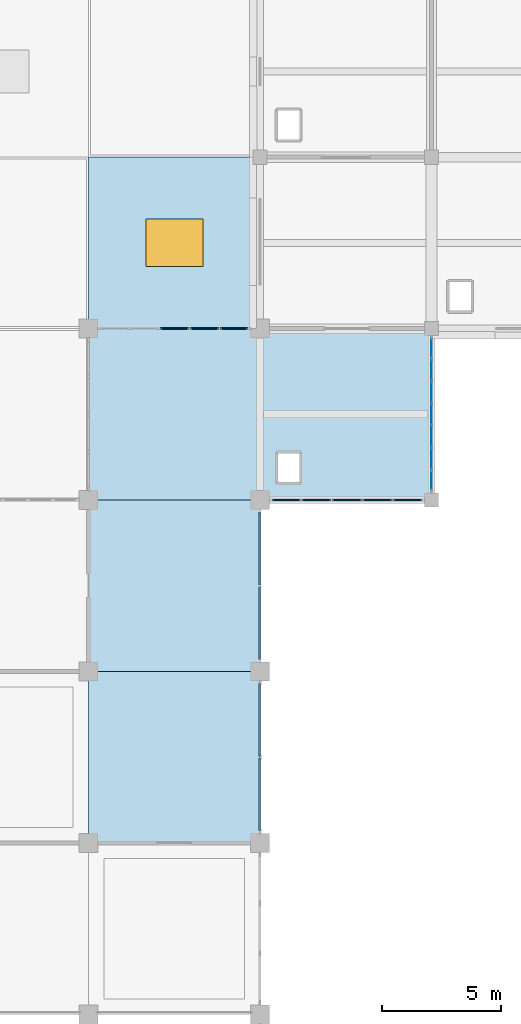
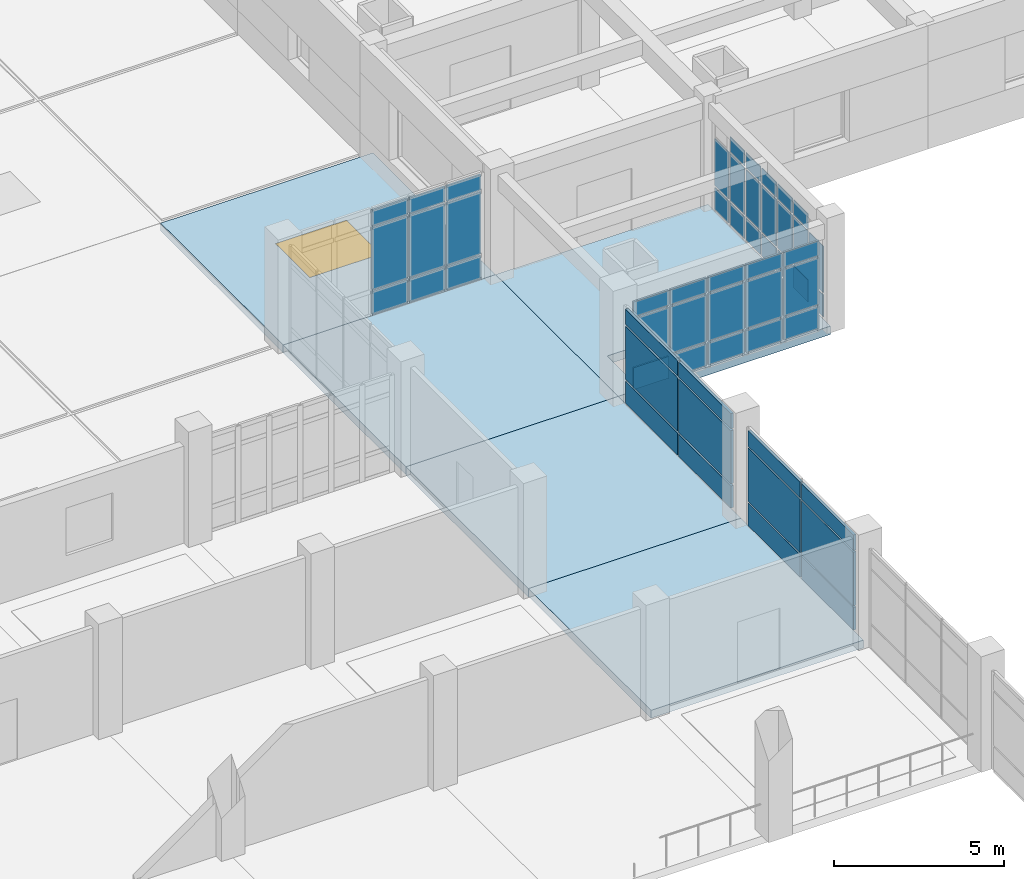
# One storey, part 37 of 62: 55 plates, 5 slabs, 1 window, 1 opening, 5 elements without a shape of their own.
"""IFC4 building model written with IfcOpenShell, lengths in metres."""

from ifc_helpers import new_model, si_unit, direction, frame, origin, origin_2d, place, context, subcontext, project, spatial, polyline, rectangle, outline, extrude, material, layer, layer_set, type_object, element, fill, aggregate, save


model = new_model("IFC4")

# Units and contexts
model_context = context("Model", 3, precision=1e-05, world=origin(), true_north=direction((0.0, 1.0)))
body_context = subcontext(model_context, "Body", "Model", "MODEL_VIEW")
ifc_project = project(units=[si_unit("LENGTHUNIT", "METRE"), si_unit("AREAUNIT", "SQUARE_METRE"), si_unit("VOLUMEUNIT", "CUBIC_METRE"), si_unit("PLANEANGLEUNIT", "RADIAN"), si_unit("MASSUNIT", "GRAM", prefix="KILO")], contexts=[model_context])

# Site, building, storey
site_placement = place(None, origin())
site = spatial("IfcSite", under=ifc_project, at=site_placement, CompositionType="ELEMENT")
building_placement = place(site_placement, origin())
building = spatial("IfcBuilding", under=site, at=building_placement, Name="Kavelor Marine Aquarium", CompositionType="ELEMENT")
storey_placement = place(building_placement, frame((0.0, 0.0, 13.5)))
storey = spatial("IfcBuildingStorey", under=building, at=storey_placement, Name="L03", CompositionType="ELEMENT", Elevation=13.5)

# Curtain wall, plates
ifc_material_1 = material(Name="Thermally Broken Aluminium and Low-E Glass", Category="aluminium")
ifc_layer_1 = layer(ifc_material_1, 0.14794921875)
ifc_layer_set_1 = layer_set([ifc_layer_1], Name="CW-SYS1")
curtain_wall_type_1 = type_object("IfcCurtainWallType", Name="CW-SYS1", PredefinedType="USERDEFINED", material=ifc_layer_set_1)
curtain_wall_1_placement = place(storey_placement, origin())
curtain_wall_1 = element("IfcCurtainWall", 1, at=curtain_wall_1_placement, inside=storey, type_object=curtain_wall_type_1, Name="cw:y:L03:06_11", ObjectType="Curtain Wall", PredefinedType="USERDEFINED")
ifc_material_2 = material(Name="Solar-Control Double Low-E Glazing", Category="glass")
ifc_layer_2 = layer(ifc_material_2, 0.02587890625)
ifc_layer_set_2 = layer_set([ifc_layer_2], Name="CWP-01")
plate_type_1 = type_object("IfcPlateType", Name="CWP-01", PredefinedType="CURTAIN_PANEL", material=ifc_layer_set_2)
plate_1_placement = place(storey_placement, frame((46.39990234375, 82.828857421875, 0.074951171875), z_axis=(0.0, 0.0, 1.0), x_axis=(0.0, 1.0, 0.0)))
plate_1 = element("IfcPlate", 2, at=plate_1_placement, type_object=plate_type_1, Name="CW01 panel 1.1", PredefinedType="CURTAIN_PANEL", context=body_context, shape_type="SweptSolid", body=[
    extrude(rectangle(XDim=0.8173828125, YDim=0.02587890625, at=origin_2d()), origin(), (0.0, 0.0, 1.0), 0.78759765625),
])
plate_2_placement = place(storey_placement, frame((46.39990234375, 82.828857421875, 0.9375), z_axis=(0.0, 0.0, 1.0), x_axis=(0.0, 1.0, 0.0)))
plate_2 = element("IfcPlate", 3, at=plate_2_placement, type_object=plate_type_1, Name="CW01 panel 1.2", PredefinedType="CURTAIN_PANEL", context=body_context, shape_type="SweptSolid", body=[
    extrude(rectangle(XDim=0.8173828125, YDim=0.02587890625, at=origin_2d()), origin(), (0.0, 0.0, 1.0), 1.675048828125),
])
plate_3_placement = place(storey_placement, frame((46.39990234375, 83.739990234375, 0.074951171875), z_axis=(0.0, 0.0, 1.0), x_axis=(0.0, 1.0, 0.0)))
plate_3 = element("IfcPlate", 4, at=plate_3_placement, type_object=plate_type_1, Name="CW01 panel 2.1", PredefinedType="CURTAIN_PANEL", context=body_context, shape_type="SweptSolid", body=[
    extrude(rectangle(XDim=0.85498046875, YDim=0.02587890625, at=origin_2d()), origin(), (0.0, 0.0, 1.0), 0.78759765625),
])
plate_4_placement = place(storey_placement, frame((46.39990234375, 83.739990234375, 0.9375), z_axis=(0.0, 0.0, 1.0), x_axis=(0.0, 1.0, 0.0)))
plate_4 = element("IfcPlate", 5, at=plate_4_placement, type_object=plate_type_1, Name="CW01 panel 2.2", PredefinedType="CURTAIN_PANEL", context=body_context, shape_type="SweptSolid", body=[
    extrude(rectangle(XDim=0.85498046875, YDim=0.02587890625, at=origin_2d()), origin(), (0.0, 0.0, 1.0), 1.675048828125),
])
plate_5_placement = place(storey_placement, frame((46.39990234375, 83.739990234375, 2.6875), z_axis=(0.0, 0.0, 1.0), x_axis=(0.0, 1.0, 0.0)))
plate_5 = element("IfcPlate", 6, at=plate_5_placement, type_object=plate_type_1, Name="CW01 panel 2.3", PredefinedType="CURTAIN_PANEL", context=body_context, shape_type="SweptSolid", body=[
    extrude(rectangle(XDim=0.85498046875, YDim=0.02587890625, at=origin_2d()), origin(), (0.0, 0.0, 1.0), 0.53759765625),
])
plate_6_placement = place(storey_placement, frame((46.39990234375, 84.669921875, 0.074951171875), z_axis=(0.0, 0.0, 1.0), x_axis=(0.0, 1.0, 0.0)))
plate_6 = element("IfcPlate", 7, at=plate_6_placement, type_object=plate_type_1, Name="CW01 panel 3.1", PredefinedType="CURTAIN_PANEL", context=body_context, shape_type="SweptSolid", body=[
    extrude(rectangle(XDim=0.85498046875, YDim=0.02587890625, at=origin_2d()), origin(), (0.0, 0.0, 1.0), 0.78759765625),
])
plate_7_placement = place(storey_placement, frame((46.39990234375, 84.669921875, 0.9375), z_axis=(0.0, 0.0, 1.0), x_axis=(0.0, 1.0, 0.0)))
plate_7 = element("IfcPlate", 8, at=plate_7_placement, type_object=plate_type_1, Name="CW01 panel 3.2", PredefinedType="CURTAIN_PANEL", context=body_context, shape_type="SweptSolid", body=[
    extrude(rectangle(XDim=0.85498046875, YDim=0.02587890625, at=origin_2d()), origin(), (0.0, 0.0, 1.0), 1.675048828125),
])
plate_8_placement = place(storey_placement, frame((46.39990234375, 84.669921875, 2.6875), z_axis=(0.0, 0.0, 1.0), x_axis=(0.0, 1.0, 0.0)))
plate_8 = element("IfcPlate", 9, at=plate_8_placement, type_object=plate_type_1, Name="CW01 panel 3.3", PredefinedType="CURTAIN_PANEL", context=body_context, shape_type="SweptSolid", body=[
    extrude(rectangle(XDim=0.85498046875, YDim=0.02587890625, at=origin_2d()), origin(), (0.0, 0.0, 1.0), 0.53759765625),
])
plate_9_placement = place(storey_placement, frame((46.39990234375, 85.60009765625, 0.074951171875), z_axis=(0.0, 0.0, 1.0), x_axis=(0.0, 1.0, 0.0)))
plate_9 = element("IfcPlate", 10, at=plate_9_placement, type_object=plate_type_1, Name="CW01 panel 4.1", PredefinedType="CURTAIN_PANEL", context=body_context, shape_type="SweptSolid", body=[
    extrude(rectangle(XDim=0.85498046875, YDim=0.02587890625, at=origin_2d()), origin(), (0.0, 0.0, 1.0), 0.78759765625),
])
plate_10_placement = place(storey_placement, frame((46.39990234375, 85.60009765625, 0.9375), z_axis=(0.0, 0.0, 1.0), x_axis=(0.0, 1.0, 0.0)))
plate_10 = element("IfcPlate", 11, at=plate_10_placement, type_object=plate_type_1, Name="CW01 panel 4.2", PredefinedType="CURTAIN_PANEL", context=body_context, shape_type="SweptSolid", body=[
    extrude(rectangle(XDim=0.85498046875, YDim=0.02587890625, at=origin_2d()), origin(), (0.0, 0.0, 1.0), 1.675048828125),
])
plate_11_placement = place(storey_placement, frame((46.39990234375, 85.60009765625, 2.6875), z_axis=(0.0, 0.0, 1.0), x_axis=(0.0, 1.0, 0.0)))
plate_11 = element("IfcPlate", 12, at=plate_11_placement, type_object=plate_type_1, Name="CW01 panel 4.3", PredefinedType="CURTAIN_PANEL", context=body_context, shape_type="SweptSolid", body=[
    extrude(rectangle(XDim=0.85498046875, YDim=0.02587890625, at=origin_2d()), origin(), (0.0, 0.0, 1.0), 0.53759765625),
])
plate_12_placement = place(storey_placement, frame((46.39990234375, 86.530029296875, 0.074951171875), z_axis=(0.0, 0.0, 1.0), x_axis=(0.0, 1.0, 0.0)))
plate_12 = element("IfcPlate", 13, at=plate_12_placement, type_object=plate_type_1, Name="CW01 panel 5.1", PredefinedType="CURTAIN_PANEL", context=body_context, shape_type="SweptSolid", body=[
    extrude(rectangle(XDim=0.85498046875, YDim=0.02587890625, at=origin_2d()), origin(), (0.0, 0.0, 1.0), 0.78759765625),
])
plate_13_placement = place(storey_placement, frame((46.39990234375, 86.530029296875, 0.9375), z_axis=(0.0, 0.0, 1.0), x_axis=(0.0, 1.0, 0.0)))
plate_13 = element("IfcPlate", 14, at=plate_13_placement, type_object=plate_type_1, Name="CW01 panel 5.2", PredefinedType="CURTAIN_PANEL", context=body_context, shape_type="SweptSolid", body=[
    extrude(rectangle(XDim=0.85498046875, YDim=0.02587890625, at=origin_2d()), origin(), (0.0, 0.0, 1.0), 1.675048828125),
])
plate_14_placement = place(storey_placement, frame((46.39990234375, 86.530029296875, 2.6875), z_axis=(0.0, 0.0, 1.0), x_axis=(0.0, 1.0, 0.0)))
plate_14 = element("IfcPlate", 15, at=plate_14_placement, type_object=plate_type_1, Name="CW01 panel 5.3", PredefinedType="CURTAIN_PANEL", context=body_context, shape_type="SweptSolid", body=[
    extrude(rectangle(XDim=0.85498046875, YDim=0.02587890625, at=origin_2d()), origin(), (0.0, 0.0, 1.0), 0.53759765625),
])
plate_15_placement = place(storey_placement, frame((46.39990234375, 87.4599609375, 0.074951171875), z_axis=(0.0, 0.0, 1.0), x_axis=(0.0, 1.0, 0.0)))
plate_15 = element("IfcPlate", 16, at=plate_15_placement, type_object=plate_type_1, Name="CW01 panel 6.1", PredefinedType="CURTAIN_PANEL", context=body_context, shape_type="SweptSolid", body=[
    extrude(rectangle(XDim=0.85498046875, YDim=0.02587890625, at=origin_2d()), origin(), (0.0, 0.0, 1.0), 0.78759765625),
])
plate_16_placement = place(storey_placement, frame((46.39990234375, 87.4599609375, 0.9375), z_axis=(0.0, 0.0, 1.0), x_axis=(0.0, 1.0, 0.0)))
plate_16 = element("IfcPlate", 17, at=plate_16_placement, type_object=plate_type_1, Name="CW01 panel 6.2", PredefinedType="CURTAIN_PANEL", context=body_context, shape_type="SweptSolid", body=[
    extrude(rectangle(XDim=0.85498046875, YDim=0.02587890625, at=origin_2d()), origin(), (0.0, 0.0, 1.0), 1.675048828125),
])
plate_17_placement = place(storey_placement, frame((46.39990234375, 87.4599609375, 2.6875), z_axis=(0.0, 0.0, 1.0), x_axis=(0.0, 1.0, 0.0)))
plate_17 = element("IfcPlate", 18, at=plate_17_placement, type_object=plate_type_1, Name="CW01 panel 6.3", PredefinedType="CURTAIN_PANEL", context=body_context, shape_type="SweptSolid", body=[
    extrude(rectangle(XDim=0.85498046875, YDim=0.02587890625, at=origin_2d()), origin(), (0.0, 0.0, 1.0), 0.53759765625),
])
plate_18_placement = place(storey_placement, frame((46.39990234375, 88.371337890625, 0.074951171875), z_axis=(0.0, 0.0, 1.0), x_axis=(0.0, 1.0, 0.0)))
plate_18 = element("IfcPlate", 19, at=plate_18_placement, type_object=plate_type_1, Name="CW01 panel 7.1", PredefinedType="CURTAIN_PANEL", context=body_context, shape_type="SweptSolid", body=[
    extrude(rectangle(XDim=0.8173828125, YDim=0.02587890625, at=origin_2d()), origin(), (0.0, 0.0, 1.0), 0.78759765625),
])
plate_19_placement = place(storey_placement, frame((46.39990234375, 88.371337890625, 0.9375), z_axis=(0.0, 0.0, 1.0), x_axis=(0.0, 1.0, 0.0)))
plate_19 = element("IfcPlate", 20, at=plate_19_placement, type_object=plate_type_1, Name="CW01 panel 7.2", PredefinedType="CURTAIN_PANEL", context=body_context, shape_type="SweptSolid", body=[
    extrude(rectangle(XDim=0.8173828125, YDim=0.02587890625, at=origin_2d()), origin(), (0.0, 0.0, 1.0), 1.675048828125),
])
aggregate(curtain_wall_1, [plate_1, plate_2, plate_3, plate_4, plate_5, plate_6, plate_7, plate_8, plate_9, plate_10, plate_11, plate_12, plate_13, plate_14, plate_15, plate_16, plate_17, plate_18, plate_19])

ifc_material_3 = material(Name="Thermally Broken Aluminium and Low-E Glass", Category="aluminium")
ifc_layer_3 = layer(ifc_material_3, 0.179931640625)
ifc_layer_set_3 = layer_set([ifc_layer_3], Name="CW-SYS5")
curtain_wall_type_2 = type_object("IfcCurtainWallType", Name="CW-SYS5", PredefinedType="USERDEFINED", material=ifc_layer_set_3)
curtain_wall_2_placement = place(storey_placement, origin())
curtain_wall_2 = element("IfcCurtainWall", 21, at=curtain_wall_2_placement, inside=storey, type_object=curtain_wall_type_2, Name="cw:x:L03:04_12", ObjectType="Curtain Wall", PredefinedType="USERDEFINED")
ifc_material_4 = material(Name="Solar-Control Double Low-E Glazing", Category="glass")
ifc_layer_4 = layer(ifc_material_4, 0.05810546875)
ifc_layer_set_4 = layer_set([ifc_layer_4], Name="CWP-17")
plate_type_2 = type_object("IfcPlateType", Name="CWP-17", PredefinedType="CURTAIN_PANEL", material=ifc_layer_set_4)
plate_20_placement = place(storey_placement, frame((35.60009765625, 89.199951171875, 0.06005859375), z_axis=(0.0, 0.0, 1.0), x_axis=(1.0, 0.0, 0.0)))
plate_20 = element("IfcPlate", 22, at=plate_20_placement, type_object=plate_type_2, Name="CW05 panel 3.1", PredefinedType="CURTAIN_PANEL", context=body_context, shape_type="SweptSolid", body=[
    extrude(rectangle(XDim=1.197021484375, YDim=0.05810546875, at=origin_2d()), origin(), (0.0, 0.0, 1.0), 0.81005859375),
])
plate_21_placement = place(storey_placement, frame((35.60009765625, 89.199951171875, 0.929931640625), z_axis=(0.0, 0.0, 1.0), x_axis=(1.0, 0.0, 0.0)))
plate_21 = element("IfcPlate", 23, at=plate_21_placement, type_object=plate_type_2, Name="CW05 panel 3.2", PredefinedType="CURTAIN_PANEL", context=body_context, shape_type="SweptSolid", body=[
    extrude(rectangle(XDim=1.197021484375, YDim=0.05810546875, at=origin_2d()), origin(), (0.0, 0.0, 1.0), 2.22998046875),
])
plate_22_placement = place(storey_placement, frame((35.60009765625, 89.199951171875, 3.219970703125), z_axis=(0.0, 0.0, 1.0), x_axis=(1.0, 0.0, 0.0)))
plate_22 = element("IfcPlate", 24, at=plate_22_placement, type_object=plate_type_2, Name="CW05 panel 3.3", PredefinedType="CURTAIN_PANEL", context=body_context, shape_type="SweptSolid", body=[
    extrude(rectangle(XDim=1.197021484375, YDim=0.05810546875, at=origin_2d()), origin(), (0.0, 0.0, 1.0), 0.56005859375),
])
plate_23_placement = place(storey_placement, frame((36.862060546875, 89.199951171875, 0.06005859375), z_axis=(0.0, 0.0, 1.0), x_axis=(1.0, 0.0, 0.0)))
plate_23 = element("IfcPlate", 25, at=plate_23_placement, type_object=plate_type_2, Name="CW05 panel 4.1", PredefinedType="CURTAIN_PANEL", context=body_context, shape_type="SweptSolid", body=[
    extrude(rectangle(XDim=1.197021484375, YDim=0.05810546875, at=origin_2d()), origin(), (0.0, 0.0, 1.0), 0.81005859375),
])
plate_24_placement = place(storey_placement, frame((36.862060546875, 89.199951171875, 0.929931640625), z_axis=(0.0, 0.0, 1.0), x_axis=(1.0, 0.0, 0.0)))
plate_24 = element("IfcPlate", 26, at=plate_24_placement, type_object=plate_type_2, Name="CW05 panel 4.2", PredefinedType="CURTAIN_PANEL", context=body_context, shape_type="SweptSolid", body=[
    extrude(rectangle(XDim=1.197021484375, YDim=0.05810546875, at=origin_2d()), origin(), (0.0, 0.0, 1.0), 2.22998046875),
])
plate_25_placement = place(storey_placement, frame((36.862060546875, 89.199951171875, 3.219970703125), z_axis=(0.0, 0.0, 1.0), x_axis=(1.0, 0.0, 0.0)))
plate_25 = element("IfcPlate", 27, at=plate_25_placement, type_object=plate_type_2, Name="CW05 panel 4.3", PredefinedType="CURTAIN_PANEL", context=body_context, shape_type="SweptSolid", body=[
    extrude(rectangle(XDim=1.197021484375, YDim=0.05810546875, at=origin_2d()), origin(), (0.0, 0.0, 1.0), 0.56005859375),
])
plate_26_placement = place(storey_placement, frame((38.107666015625, 89.199951171875, 0.06005859375), z_axis=(0.0, 0.0, 1.0), x_axis=(1.0, 0.0, 0.0)))
plate_26 = element("IfcPlate", 28, at=plate_26_placement, type_object=plate_type_2, Name="CW05 panel 5.1", PredefinedType="CURTAIN_PANEL", context=body_context, shape_type="SweptSolid", body=[
    extrude(rectangle(XDim=1.16455078125, YDim=0.05810546875, at=origin_2d()), origin(), (0.0, 0.0, 1.0), 0.81005859375),
])
plate_27_placement = place(storey_placement, frame((38.107666015625, 89.199951171875, 0.929931640625), z_axis=(0.0, 0.0, 1.0), x_axis=(1.0, 0.0, 0.0)))
plate_27 = element("IfcPlate", 29, at=plate_27_placement, type_object=plate_type_2, Name="CW05 panel 5.2", PredefinedType="CURTAIN_PANEL", context=body_context, shape_type="SweptSolid", body=[
    extrude(rectangle(XDim=1.16455078125, YDim=0.05810546875, at=origin_2d()), origin(), (0.0, 0.0, 1.0), 2.22998046875),
])
plate_28_placement = place(storey_placement, frame((38.107666015625, 89.199951171875, 3.219970703125), z_axis=(0.0, 0.0, 1.0), x_axis=(1.0, 0.0, 0.0)))
plate_28 = element("IfcPlate", 30, at=plate_28_placement, type_object=plate_type_2, Name="CW05 panel 5.3", PredefinedType="CURTAIN_PANEL", context=body_context, shape_type="SweptSolid", body=[
    extrude(rectangle(XDim=1.16455078125, YDim=0.05810546875, at=origin_2d()), origin(), (0.0, 0.0, 1.0), 0.56005859375),
])
aggregate(curtain_wall_2, [plate_20, plate_21, plate_22, plate_23, plate_24, plate_25, plate_26, plate_27, plate_28])

ifc_material_5 = material(Name="Thermally Broken Aluminium and Low-E Glass", Category="aluminium")
ifc_layer_5 = layer(ifc_material_5, 0.18798828125)
ifc_layer_set_5 = layer_set([ifc_layer_5], Name="CW-SYS6")
curtain_wall_type_3 = type_object("IfcCurtainWallType", Name="CW-SYS6", PredefinedType="USERDEFINED", material=ifc_layer_set_5)
curtain_wall_3_placement = place(storey_placement, origin())
curtain_wall_3 = element("IfcCurtainWall", 31, at=curtain_wall_3_placement, inside=storey, type_object=curtain_wall_type_3, Name="cw:x:L03:05_11", ObjectType="Curtain Wall", PredefinedType="USERDEFINED")
ifc_material_6 = material(Name="Solar-Control Double Low-E Glazing", Category="glass")
ifc_layer_6 = layer(ifc_material_6, 0.06005859375)
ifc_layer_set_6 = layer_set([ifc_layer_6], Name="CWP-18")
plate_type_3 = type_object("IfcPlateType", Name="CWP-18", PredefinedType="CURTAIN_PANEL", material=ifc_layer_set_6)
plate_29_placement = place(storey_placement, frame((45.39892578125, 82.0, 0.074951171875), z_axis=(0.0, 0.0, 1.0), x_axis=(-1.0, 0.0, 0.0)))
plate_29 = element("IfcPlate", 32, at=plate_29_placement, type_object=plate_type_3, Name="CW06 panel 1.1", PredefinedType="CURTAIN_PANEL", context=body_context, shape_type="SweptSolid", body=[
    extrude(rectangle(XDim=1.19189453125, YDim=0.06005859375, at=origin_2d()), origin(), (0.0, 0.0, 1.0), 0.78759765625),
])
plate_30_placement = place(storey_placement, frame((45.39892578125, 82.0, 0.9375), z_axis=(0.0, 0.0, 1.0), x_axis=(-1.0, 0.0, 0.0)))
plate_30 = element("IfcPlate", 33, at=plate_30_placement, type_object=plate_type_3, Name="CW06 panel 1.2", PredefinedType="CURTAIN_PANEL", context=body_context, shape_type="SweptSolid", body=[
    extrude(rectangle(XDim=1.19189453125, YDim=0.06005859375, at=origin_2d()), origin(), (0.0, 0.0, 1.0), 1.675048828125),
])
plate_31_placement = place(storey_placement, frame((45.39892578125, 82.0, 2.6875), z_axis=(0.0, 0.0, 1.0), x_axis=(-1.0, 0.0, 0.0)))
plate_31 = element("IfcPlate", 34, at=plate_31_placement, type_object=plate_type_3, Name="CW06 panel 1.3", PredefinedType="CURTAIN_PANEL", context=body_context, shape_type="SweptSolid", body=[
    extrude(rectangle(XDim=1.19189453125, YDim=0.06005859375, at=origin_2d()), origin(), (0.0, 0.0, 1.0), 0.53759765625),
])
plate_32_placement = place(storey_placement, frame((44.132080078125, 82.0, 0.074951171875), z_axis=(0.0, 0.0, 1.0), x_axis=(-1.0, 0.0, 0.0)))
plate_32 = element("IfcPlate", 35, at=plate_32_placement, type_object=plate_type_3, Name="CW06 panel 2.1", PredefinedType="CURTAIN_PANEL", context=body_context, shape_type="SweptSolid", body=[
    extrude(rectangle(XDim=1.221923828125, YDim=0.06005859375, at=origin_2d()), origin(), (0.0, 0.0, 1.0), 0.78759765625),
])
plate_33_placement = place(storey_placement, frame((44.132080078125, 82.0, 0.9375), z_axis=(0.0, 0.0, 1.0), x_axis=(-1.0, 0.0, 0.0)))
plate_33 = element("IfcPlate", 36, at=plate_33_placement, type_object=plate_type_3, Name="CW06 panel 2.2", PredefinedType="CURTAIN_PANEL", context=body_context, shape_type="SweptSolid", body=[
    extrude(rectangle(XDim=1.221923828125, YDim=0.06005859375, at=origin_2d()), origin(), (0.0, 0.0, 1.0), 1.675048828125),
])
plate_34_placement = place(storey_placement, frame((44.132080078125, 82.0, 2.6875), z_axis=(0.0, 0.0, 1.0), x_axis=(-1.0, 0.0, 0.0)))
plate_34 = element("IfcPlate", 37, at=plate_34_placement, type_object=plate_type_3, Name="CW06 panel 2.3", PredefinedType="CURTAIN_PANEL", context=body_context, shape_type="SweptSolid", body=[
    extrude(rectangle(XDim=1.221923828125, YDim=0.06005859375, at=origin_2d()), origin(), (0.0, 0.0, 1.0), 0.53759765625),
])
plate_35_placement = place(storey_placement, frame((42.85009765625, 82.0, 0.074951171875), z_axis=(0.0, 0.0, 1.0), x_axis=(-1.0, 0.0, 0.0)))
plate_35 = element("IfcPlate", 38, at=plate_35_placement, type_object=plate_type_3, Name="CW06 panel 3.1", PredefinedType="CURTAIN_PANEL", context=body_context, shape_type="SweptSolid", body=[
    extrude(rectangle(XDim=1.221923828125, YDim=0.06005859375, at=origin_2d()), origin(), (0.0, 0.0, 1.0), 0.78759765625),
])
plate_36_placement = place(storey_placement, frame((42.85009765625, 82.0, 0.9375), z_axis=(0.0, 0.0, 1.0), x_axis=(-1.0, 0.0, 0.0)))
plate_36 = element("IfcPlate", 39, at=plate_36_placement, type_object=plate_type_3, Name="CW06 panel 3.2", PredefinedType="CURTAIN_PANEL", context=body_context, shape_type="SweptSolid", body=[
    extrude(rectangle(XDim=1.221923828125, YDim=0.06005859375, at=origin_2d()), origin(), (0.0, 0.0, 1.0), 1.675048828125),
])
plate_37_placement = place(storey_placement, frame((42.85009765625, 82.0, 2.6875), z_axis=(0.0, 0.0, 1.0), x_axis=(-1.0, 0.0, 0.0)))
plate_37 = element("IfcPlate", 40, at=plate_37_placement, type_object=plate_type_3, Name="CW06 panel 3.3", PredefinedType="CURTAIN_PANEL", context=body_context, shape_type="SweptSolid", body=[
    extrude(rectangle(XDim=1.221923828125, YDim=0.06005859375, at=origin_2d()), origin(), (0.0, 0.0, 1.0), 0.53759765625),
])
plate_38_placement = place(storey_placement, frame((41.568115234375, 82.0, 0.074951171875), z_axis=(0.0, 0.0, 1.0), x_axis=(-1.0, 0.0, 0.0)))
plate_38 = element("IfcPlate", 41, at=plate_38_placement, type_object=plate_type_3, Name="CW06 panel 4.1", PredefinedType="CURTAIN_PANEL", context=body_context, shape_type="SweptSolid", body=[
    extrude(rectangle(XDim=1.221923828125, YDim=0.06005859375, at=origin_2d()), origin(), (0.0, 0.0, 1.0), 0.78759765625),
])
plate_39_placement = place(storey_placement, frame((41.568115234375, 82.0, 0.9375), z_axis=(0.0, 0.0, 1.0), x_axis=(-1.0, 0.0, 0.0)))
plate_39 = element("IfcPlate", 42, at=plate_39_placement, type_object=plate_type_3, Name="CW06 panel 4.2", PredefinedType="CURTAIN_PANEL", context=body_context, shape_type="SweptSolid", body=[
    extrude(rectangle(XDim=1.221923828125, YDim=0.06005859375, at=origin_2d()), origin(), (0.0, 0.0, 1.0), 1.675048828125),
])
plate_40_placement = place(storey_placement, frame((41.568115234375, 82.0, 2.6875), z_axis=(0.0, 0.0, 1.0), x_axis=(-1.0, 0.0, 0.0)))
plate_40 = element("IfcPlate", 43, at=plate_40_placement, type_object=plate_type_3, Name="CW06 panel 4.3", PredefinedType="CURTAIN_PANEL", context=body_context, shape_type="SweptSolid", body=[
    extrude(rectangle(XDim=1.221923828125, YDim=0.06005859375, at=origin_2d()), origin(), (0.0, 0.0, 1.0), 0.53759765625),
])
plate_41_placement = place(storey_placement, frame((40.301025390625, 82.0, 0.074951171875), z_axis=(0.0, 0.0, 1.0), x_axis=(-1.0, 0.0, 0.0)))
plate_41 = element("IfcPlate", 44, at=plate_41_placement, type_object=plate_type_3, Name="CW06 panel 5.1", PredefinedType="CURTAIN_PANEL", context=body_context, shape_type="SweptSolid", body=[
    extrude(rectangle(XDim=1.19189453125, YDim=0.06005859375, at=origin_2d()), origin(), (0.0, 0.0, 1.0), 0.78759765625),
])
plate_42_placement = place(storey_placement, frame((40.301025390625, 82.0, 0.9375), z_axis=(0.0, 0.0, 1.0), x_axis=(-1.0, 0.0, 0.0)))
plate_42 = element("IfcPlate", 45, at=plate_42_placement, type_object=plate_type_3, Name="CW06 panel 5.2", PredefinedType="CURTAIN_PANEL", context=body_context, shape_type="SweptSolid", body=[
    extrude(rectangle(XDim=1.19189453125, YDim=0.06005859375, at=origin_2d()), origin(), (0.0, 0.0, 1.0), 1.675048828125),
])
plate_43_placement = place(storey_placement, frame((40.301025390625, 82.0, 2.6875), z_axis=(0.0, 0.0, 1.0), x_axis=(-1.0, 0.0, 0.0)))
plate_43 = element("IfcPlate", 46, at=plate_43_placement, type_object=plate_type_3, Name="CW06 panel 5.3", PredefinedType="CURTAIN_PANEL", context=body_context, shape_type="SweptSolid", body=[
    extrude(rectangle(XDim=1.19189453125, YDim=0.06005859375, at=origin_2d()), origin(), (0.0, 0.0, 1.0), 0.53759765625),
])
aggregate(curtain_wall_3, [plate_29, plate_30, plate_31, plate_32, plate_33, plate_34, plate_35, plate_36, plate_37, plate_38, plate_39, plate_40, plate_41, plate_42, plate_43])

ifc_material_7 = material(Name="Thermally Broken Aluminium and Low-E Glass", Category="aluminium")
ifc_layer_7 = layer(ifc_material_7, 0.323974609375)
ifc_layer_set_7 = layer_set([ifc_layer_7], Name="CW-SYS23")
curtain_wall_type_4 = type_object("IfcCurtainWallType", Name="CW-SYS23", PredefinedType="USERDEFINED", material=ifc_layer_set_7)
curtain_wall_4_placement = place(storey_placement, origin())
curtain_wall_4 = element("IfcCurtainWall", 47, at=curtain_wall_4_placement, inside=storey, type_object=curtain_wall_type_4, Name="cw:y:L03:05_09", ObjectType="Curtain Wall", PredefinedType="USERDEFINED")
ifc_material_8 = material(Name="Laminated Cast Acrylic Viewing Glazing", Category="glass")
ifc_layer_8 = layer(ifc_material_8, 0.093994140625)
ifc_layer_set_8 = layer_set([ifc_layer_8], Name="CWP-35")
plate_type_4 = type_object("IfcPlateType", Name="CWP-35", PredefinedType="CURTAIN_PANEL", material=ifc_layer_set_8)
plate_44_placement = place(storey_placement, frame((39.199951171875, 69.638671875, 0.06005859375), z_axis=(0.0, 0.0, 1.0), x_axis=(0.0, 1.0, 0.0)))
plate_44 = element("IfcPlate", 48, at=plate_44_placement, type_object=plate_type_4, Name="CW23 panel 1.1", PredefinedType="CURTAIN_PANEL", context=body_context, shape_type="SweptSolid", body=[
    extrude(rectangle(XDim=3.0576171875, YDim=0.093994140625, at=origin_2d()), origin(), (0.0, 0.0, 1.0), 0.81005859375),
])
plate_45_placement = place(storey_placement, frame((39.199951171875, 69.638671875, 0.929931640625), z_axis=(0.0, 0.0, 1.0), x_axis=(0.0, 1.0, 0.0)))
plate_45 = element("IfcPlate", 49, at=plate_45_placement, type_object=plate_type_4, Name="CW23 panel 1.2", PredefinedType="CURTAIN_PANEL", context=body_context, shape_type="SweptSolid", body=[
    extrude(rectangle(XDim=3.0576171875, YDim=0.093994140625, at=origin_2d()), origin(), (0.0, 0.0, 1.0), 1.919921875),
])
plate_46_placement = place(storey_placement, frame((39.199951171875, 69.638671875, 2.909912109375), z_axis=(0.0, 0.0, 1.0), x_axis=(0.0, 1.0, 0.0)))
plate_46 = element("IfcPlate", 50, at=plate_46_placement, type_object=plate_type_4, Name="CW23 panel 1.3", PredefinedType="CURTAIN_PANEL", context=body_context, shape_type="SweptSolid", body=[
    extrude(rectangle(XDim=3.0576171875, YDim=0.093994140625, at=origin_2d()), origin(), (0.0, 0.0, 1.0), 0.56005859375),
])
plate_47_placement = place(storey_placement, frame((39.199951171875, 72.76123046875, 0.06005859375), z_axis=(0.0, 0.0, 1.0), x_axis=(0.0, 1.0, 0.0)))
plate_47 = element("IfcPlate", 51, at=plate_47_placement, type_object=plate_type_4, Name="CW23 panel 2.1", PredefinedType="CURTAIN_PANEL", context=body_context, shape_type="SweptSolid", body=[
    extrude(rectangle(XDim=3.0576171875, YDim=0.093994140625, at=origin_2d()), origin(), (0.0, 0.0, 1.0), 0.81005859375),
])
plate_48_placement = place(storey_placement, frame((39.199951171875, 72.76123046875, 0.929931640625), z_axis=(0.0, 0.0, 1.0), x_axis=(0.0, 1.0, 0.0)))
plate_48 = element("IfcPlate", 52, at=plate_48_placement, type_object=plate_type_4, Name="CW23 panel 2.2", PredefinedType="CURTAIN_PANEL", context=body_context, shape_type="SweptSolid", body=[
    extrude(rectangle(XDim=3.0576171875, YDim=0.093994140625, at=origin_2d()), origin(), (0.0, 0.0, 1.0), 1.919921875),
])
plate_49_placement = place(storey_placement, frame((39.199951171875, 72.76123046875, 2.909912109375), z_axis=(0.0, 0.0, 1.0), x_axis=(0.0, 1.0, 0.0)))
plate_49 = element("IfcPlate", 53, at=plate_49_placement, type_object=plate_type_4, Name="CW23 panel 2.3", PredefinedType="CURTAIN_PANEL", context=body_context, shape_type="SweptSolid", body=[
    extrude(rectangle(XDim=3.0576171875, YDim=0.093994140625, at=origin_2d()), origin(), (0.0, 0.0, 1.0), 0.56005859375),
])
aggregate(curtain_wall_4, [plate_44, plate_45, plate_46, plate_47, plate_48, plate_49])

ifc_material_9 = material(Name="Thermally Broken Aluminium and Low-E Glass", Category="aluminium")
ifc_layer_9 = layer(ifc_material_9, 0.33203125)
ifc_layer_set_9 = layer_set([ifc_layer_9], Name="CW-SYS24")
curtain_wall_type_5 = type_object("IfcCurtainWallType", Name="CW-SYS24", PredefinedType="USERDEFINED", material=ifc_layer_set_9)
curtain_wall_5_placement = place(storey_placement, origin())
curtain_wall_5 = element("IfcCurtainWall", 54, at=curtain_wall_5_placement, inside=storey, type_object=curtain_wall_type_5, Name="cw:y:L03:05_10", ObjectType="Curtain Wall", PredefinedType="USERDEFINED")
ifc_material_10 = material(Name="Laminated Cast Acrylic Viewing Glazing", Category="glass")
ifc_layer_10 = layer(ifc_material_10, 0.095947265625)
ifc_layer_set_10 = layer_set([ifc_layer_10], Name="CWP-36")
plate_type_5 = type_object("IfcPlateType", Name="CWP-36", PredefinedType="CURTAIN_PANEL", material=ifc_layer_set_10)
plate_50_placement = place(storey_placement, frame((39.199951171875, 76.83740234375, 0.074951171875), z_axis=(0.0, 0.0, 1.0), x_axis=(0.0, 1.0, 0.0)))
plate_50 = element("IfcPlate", 55, at=plate_50_placement, type_object=plate_type_5, Name="CW24 panel 1.1", PredefinedType="CURTAIN_PANEL", context=body_context, shape_type="SweptSolid", body=[
    extrude(rectangle(XDim=3.06494140625, YDim=0.095947265625, at=origin_2d()), origin(), (0.0, 0.0, 1.0), 0.78759765625),
])
plate_51_placement = place(storey_placement, frame((39.199951171875, 76.83740234375, 0.9375), z_axis=(0.0, 0.0, 1.0), x_axis=(0.0, 1.0, 0.0)))
plate_51 = element("IfcPlate", 56, at=plate_51_placement, type_object=plate_type_5, Name="CW24 panel 1.2", PredefinedType="CURTAIN_PANEL", context=body_context, shape_type="SweptSolid", body=[
    extrude(rectangle(XDim=3.06494140625, YDim=0.095947265625, at=origin_2d()), origin(), (0.0, 0.0, 1.0), 1.905029296875),
])
plate_52_placement = place(storey_placement, frame((39.199951171875, 76.83740234375, 2.91748046875), z_axis=(0.0, 0.0, 1.0), x_axis=(0.0, 1.0, 0.0)))
plate_52 = element("IfcPlate", 57, at=plate_52_placement, type_object=plate_type_5, Name="CW24 panel 1.3", PredefinedType="CURTAIN_PANEL", context=body_context, shape_type="SweptSolid", body=[
    extrude(rectangle(XDim=3.06494140625, YDim=0.095947265625, at=origin_2d()), origin(), (0.0, 0.0, 1.0), 0.53759765625),
])
plate_53_placement = place(storey_placement, frame((39.199951171875, 79.96240234375, 0.074951171875), z_axis=(0.0, 0.0, 1.0), x_axis=(0.0, 1.0, 0.0)))
plate_53 = element("IfcPlate", 58, at=plate_53_placement, type_object=plate_type_5, Name="CW24 panel 2.1", PredefinedType="CURTAIN_PANEL", context=body_context, shape_type="SweptSolid", body=[
    extrude(rectangle(XDim=3.06494140625, YDim=0.095947265625, at=origin_2d()), origin(), (0.0, 0.0, 1.0), 0.78759765625),
])
plate_54_placement = place(storey_placement, frame((39.199951171875, 79.96240234375, 0.9375), z_axis=(0.0, 0.0, 1.0), x_axis=(0.0, 1.0, 0.0)))
plate_54 = element("IfcPlate", 59, at=plate_54_placement, type_object=plate_type_5, Name="CW24 panel 2.2", PredefinedType="CURTAIN_PANEL", context=body_context, shape_type="SweptSolid", body=[
    extrude(rectangle(XDim=3.06494140625, YDim=0.095947265625, at=origin_2d()), origin(), (0.0, 0.0, 1.0), 1.905029296875),
])
plate_55_placement = place(storey_placement, frame((39.199951171875, 79.96240234375, 2.91748046875), z_axis=(0.0, 0.0, 1.0), x_axis=(0.0, 1.0, 0.0)))
plate_55 = element("IfcPlate", 60, at=plate_55_placement, type_object=plate_type_5, Name="CW24 panel 2.3", PredefinedType="CURTAIN_PANEL", context=body_context, shape_type="SweptSolid", body=[
    extrude(rectangle(XDim=3.06494140625, YDim=0.095947265625, at=origin_2d()), origin(), (0.0, 0.0, 1.0), 0.53759765625),
])
aggregate(curtain_wall_5, [plate_50, plate_51, plate_52, plate_53, plate_54, plate_55])

# Slabs
ifc_material_11 = material(Name="Concrete C40/50", Category="concrete")
ifc_layer_11 = layer(ifc_material_11, 0.300048828125)
ifc_layer_set_11 = layer_set([ifc_layer_11], Name="SL-FL1")
slab_type_1 = type_object("IfcSlabType", Name="SL-FL1", PredefinedType="FLOOR", material=ifc_layer_set_11)
slab_1_placement = place(storey_placement, frame((0.0, 0.0, -0.300048828125)))
element("IfcSlab", 61, at=slab_1_placement, inside=storey, type_object=slab_type_1, Name="slab:L03:04_10", PredefinedType="FLOOR", context=body_context, shape_type="SweptSolid", body=[
    extrude(outline(polyline([(32.0, 74.800048828125), (39.199951171875, 74.800048828125), (39.199951171875, 82.0), (32.0, 82.0), (32.0, 74.800048828125)])), origin(), (0.0, 0.0, 1.0), 0.300048828125),
])
slab_2_placement = place(storey_placement, frame((0.0, 0.0, -0.300048828125)))
element("IfcSlab", 62, at=slab_2_placement, inside=storey, type_object=slab_type_1, Name="slab:L03:05_11", PredefinedType="FLOOR", context=body_context, shape_type="SweptSolid", body=[
    extrude(outline(polyline([(39.199951171875, 82.0), (46.39990234375, 82.0), (46.39990234375, 89.199951171875), (39.199951171875, 89.199951171875), (39.199951171875, 82.0)]), holes=[polyline([(39.949951171875, 82.75), (40.85009765625, 82.75), (40.85009765625, 83.949951171875), (39.949951171875, 83.949951171875), (39.949951171875, 82.75)])]), origin(), (0.0, 0.0, 1.0), 0.300048828125),
])
ifc_material_12 = material(Name="Concrete C40/50", Category="concrete")
ifc_layer_12 = layer(ifc_material_12, 0.280029296875)
ifc_layer_set_12 = layer_set([ifc_layer_12], Name="SL-FL2")
slab_type_2 = type_object("IfcSlabType", Name="SL-FL2", PredefinedType="FLOOR", material=ifc_layer_set_12)
slab_3_placement = place(storey_placement, frame((0.0, 0.0, -0.280029296875)))
element("IfcSlab", 63, at=slab_3_placement, inside=storey, type_object=slab_type_2, Name="slab:L03:04_09", PredefinedType="FLOOR", context=body_context, shape_type="SweptSolid", body=[
    extrude(outline(polyline([(32.0, 67.60009765625), (39.199951171875, 67.60009765625), (39.199951171875, 74.800048828125), (32.0, 74.800048828125), (32.0, 67.60009765625)])), origin(), (0.0, 0.0, 1.0), 0.280029296875),
])
slab_4_placement = place(storey_placement, frame((0.0, 0.0, -0.280029296875)))
element("IfcSlab", 64, at=slab_4_placement, inside=storey, type_object=slab_type_2, Name="slab:L03:04_11", PredefinedType="FLOOR", context=body_context, shape_type="SweptSolid", body=[
    extrude(outline(polyline([(32.0, 82.0), (39.199951171875, 82.0), (39.199951171875, 89.199951171875), (32.0, 89.199951171875), (32.0, 82.0)])), origin(), (0.0, 0.0, 1.0), 0.280029296875),
])

# Slab, opening, window
ifc_material_13 = material(Name="Concrete C40/50", Category="concrete")
ifc_layer_13 = layer(ifc_material_13, 0.280029296875)
ifc_layer_set_13 = layer_set([ifc_layer_13], Name="SL-RF1")
slab_type_3 = type_object("IfcSlabType", Name="SL-RF1", PredefinedType="ROOF", material=ifc_layer_set_13)
slab_5_placement = place(storey_placement, frame((0.0, 0.0, -0.280029296875)))
slab_5 = element("IfcSlab", 65, at=slab_5_placement, inside=storey, type_object=slab_type_3, Name="roof:L03:04_12", PredefinedType="ROOF", context=body_context, shape_type="SweptSolid", body=[
    extrude(outline(polyline([(32.0, 89.199951171875), (39.199951171875, 89.199951171875), (39.199951171875, 96.39990234375), (32.0, 96.39990234375), (32.0, 89.199951171875)])), origin(), (0.0, 0.0, 1.0), 0.280029296875),
])
opening_placement = place(slab_5_placement, frame((35.60009765625, 92.800048828125, 0.0)))
opening = element("IfcOpeningElement", 66, at=opening_placement, cuts=slab_5, Name="Opening SK6", PredefinedType="OPENING", context=body_context, shape_type="SweptSolid", body=[
    extrude(rectangle(XDim=2.39990234375, YDim=2.0, at=origin_2d()), origin(), (0.0, 0.0, 1.0), 0.280029296875),
])
ifc_material_14 = material(Name="Thermally Broken Aluminium Roof Skylight", Category="aluminium")
window_type = type_object("IfcWindowType", Name="SKY-SK6", PartitioningType="SINGLE_PANEL", PredefinedType="SKYLIGHT", material=ifc_material_14)
window_placement = place(opening_placement, frame((0.0, 0.0, 0.22998046875)))
window = element("IfcWindow", 67, at=window_placement, inside=storey, type_object=window_type, Name="sky:L03:04_12", OverallHeight=2.0, OverallWidth=2.39990234375, PartitioningType="SINGLE_PANEL", PredefinedType="SKYLIGHT", context=body_context, shape_type="SweptSolid", body=[
    extrude(rectangle(XDim=2.39990234375, YDim=2.0, at=origin_2d()), origin(), (0.0, 0.0, 1.0), 0.050048828125),
])
fill(opening, window)

save(model, "model.ifc")
